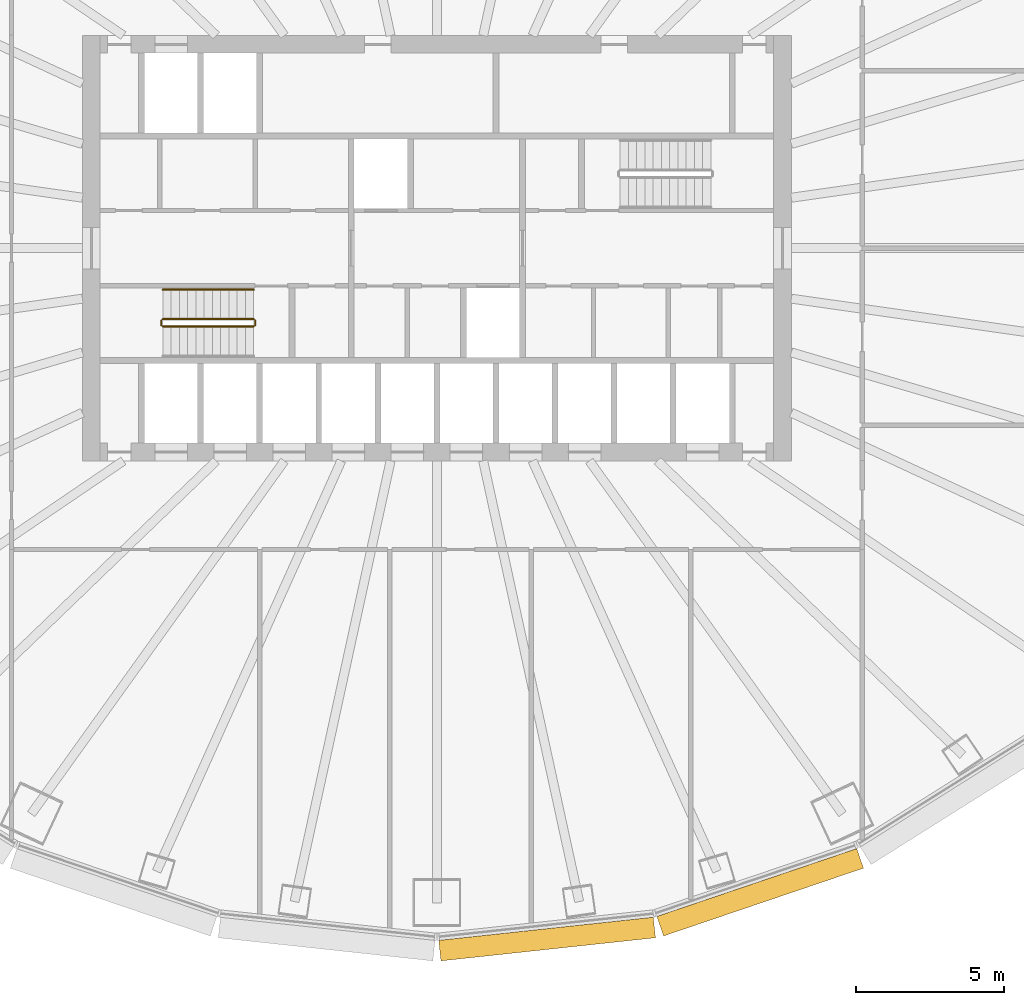
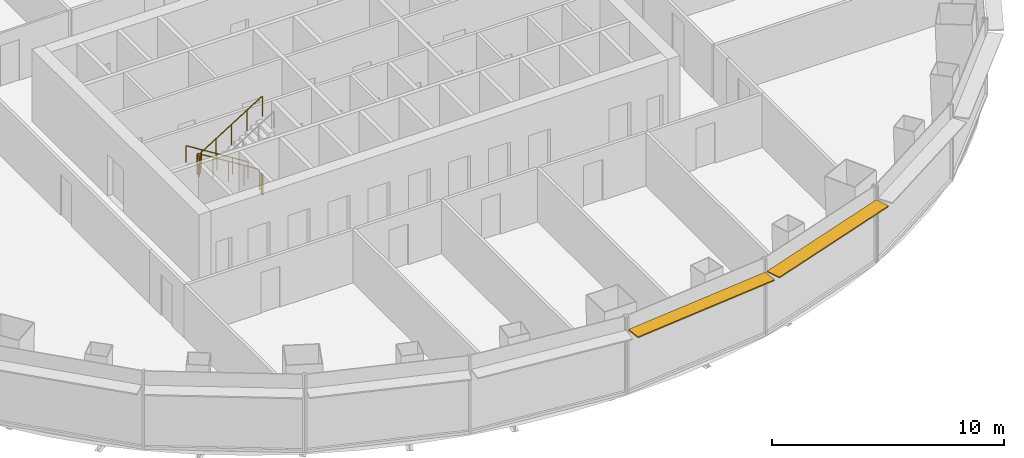
# One storey, part 11 of 13: 5 railings, 2 shading devices.
"""IFC4 building model written with IfcOpenShell, lengths in metres."""

from ifc_helpers import new_model, si_unit, direction, frame, origin, origin_2d, place, context, subcontext, project, spatial, rectangle, circle, extrude, material, layer, layer_set, type_object, element, save


model = new_model("IFC4")

# Units and contexts
model_context = context("Model", 3, precision=1e-05, world=origin(), true_north=direction((0.0, 1.0)))
body_context = subcontext(model_context, "Body", "Model", "MODEL_VIEW")
ifc_project = project(units=[si_unit("LENGTHUNIT", "METRE"), si_unit("AREAUNIT", "SQUARE_METRE"), si_unit("VOLUMEUNIT", "CUBIC_METRE"), si_unit("PLANEANGLEUNIT", "RADIAN"), si_unit("MASSUNIT", "GRAM", prefix="KILO")], contexts=[model_context])

# Site, building, storey
site_placement = place(None, origin())
site = spatial("IfcSite", under=ifc_project, at=site_placement, CompositionType="ELEMENT")
building_placement = place(site_placement, origin())
building = spatial("IfcBuilding", under=site, at=building_placement, Name="Siaravel Broadcast Tower", CompositionType="ELEMENT")
storey_placement = place(building_placement, frame((0.0, 0.0, 32.89990234375)))
storey = spatial("IfcBuildingStorey", under=building, at=storey_placement, Name="L06", CompositionType="ELEMENT", Elevation=32.89990234375)

# Shading devices
ifc_material_1 = material(Name="Bronze anodised aluminium", Category="aluminium")
ifc_layer = layer(ifc_material_1, 0.06005859375)
ifc_layer_set = layer_set([ifc_layer], Name="Bronze anodised aluminium")
shading_device_type = type_object("IfcShadingDeviceType", Name="Brise-soleil band", PredefinedType="USERDEFINED", material=ifc_layer_set)
shading_device_1_placement = place(storey_placement, frame((3.731689453125, -23.388916015625, 3.320068359375), z_axis=(0.0, 0.0, 1.0), x_axis=(0.994235667, 0.107216783, 0.0)))
element("IfcShadingDevice", 1, at=shading_device_1_placement, inside=storey, type_object=shading_device_type, Name="L06 brise-soleil band 19", ObjectType="SUNSHADE", PredefinedType="USERDEFINED", context=body_context, shape_type="SweptSolid", body=[
    extrude(rectangle(XDim=7.3046875, YDim=0.699951171875, at=origin_2d()), origin(), (0.0, 0.0, 1.0), 0.06005859375),
])
shading_device_2_placement = place(storey_placement, frame((10.944580078125, -21.805908203125, 3.320068359375), z_axis=(0.0, 0.0, 1.0), x_axis=(0.946977245, 0.321300635, 0.0)))
element("IfcShadingDevice", 2, at=shading_device_2_placement, inside=storey, type_object=shading_device_type, Name="L06 brise-soleil band 20", ObjectType="SUNSHADE", PredefinedType="USERDEFINED", context=body_context, shape_type="SweptSolid", body=[
    extrude(rectangle(XDim=7.145263671875, YDim=0.699951171875, at=origin_2d()), origin(), (0.0, 0.0, 1.0), 0.06005859375),
])

# Railings
ifc_material_2 = material(Name="Stainless steel 316L", Category="steel")
railing_type_1 = type_object("IfcRailingType", Name="Stair guard 1100", PredefinedType="GUARDRAIL", material=ifc_material_2)
railing_1_placement = place(storey_placement, frame((-6.199951171875, -2.39990234375, 0.175048828125)))
element("IfcRailing", 3, at=railing_1_placement, inside=storey, type_object=railing_type_1, Name="L06 ST-1 stair guard 1", PredefinedType="GUARDRAIL", context=body_context, shape_type="SweptSolid", body=[
    extrude(circle(Radius=0.02392578125, at=origin_2d()), frame((0.0, 0.0, 1.076171875), z_axis=(-0.847998304, 0.0, 0.52999894), x_axis=(0.0, -1.0, 0.0)), (0.0, 0.0, 1.0), 3.632080078125),
    extrude(circle(Radius=0.02099609375, at=origin_2d()), origin(), (0.0, 0.0, 1.0), 1.052001953125),
    extrude(circle(Radius=0.02099609375, at=origin_2d()), frame((-0.77001953125, 0.0, 0.481201171875)), (0.0, 0.0, 1.0), 1.052001953125),
    extrude(circle(Radius=0.02099609375, at=origin_2d()), frame((-1.5400390625, 0.0, 0.96240234375)), (0.0, 0.0, 1.0), 1.052001953125),
    extrude(circle(Radius=0.02099609375, at=origin_2d()), frame((-2.31005859375, 0.0, 1.44384765625)), (0.0, 0.0, 1.0), 1.052001953125),
    extrude(circle(Radius=0.02099609375, at=origin_2d()), frame((-3.080078125, 0.0, 1.925048828125)), (0.0, 0.0, 1.0), 1.052001953125),
])
railing_2_placement = place(storey_placement, frame((-9.330078125, -2.449951171875, 2.10009765625)))
element("IfcRailing", 4, at=railing_2_placement, inside=storey, type_object=railing_type_1, Name="L06 ST-1 stair guard 2", PredefinedType="GUARDRAIL", context=body_context, shape_type="SweptSolid", body=[
    extrude(circle(Radius=0.02392578125, at=origin_2d()), frame((0.0, 0.0, 1.076171875), z_axis=(0.0, -1.0, 0.0), x_axis=(1.0, 0.0, 0.0)), (0.0, 0.0, 1.0), 0.150146484375),
    extrude(circle(Radius=0.02099609375, at=origin_2d()), origin(), (0.0, 0.0, 1.0), 1.052001953125),
    extrude(circle(Radius=0.02099609375, at=origin_2d()), frame((0.0, -0.150146484375, 0.0)), (0.0, 0.0, 1.0), 1.052001953125),
])
railing_3_placement = place(storey_placement, frame((-9.280029296875, -2.64990234375, 2.275146484375)))
element("IfcRailing", 5, at=railing_3_placement, inside=storey, type_object=railing_type_1, Name="L06 ST-1 stair guard 3", PredefinedType="GUARDRAIL", context=body_context, shape_type="SweptSolid", body=[
    extrude(circle(Radius=0.02392578125, at=origin_2d()), frame((0.0, 0.0, 1.076171875), z_axis=(0.847998304, 0.0, 0.52999894), x_axis=(0.0, 1.0, 0.0)), (0.0, 0.0, 1.0), 3.632080078125),
    extrude(circle(Radius=0.02099609375, at=origin_2d()), origin(), (0.0, 0.0, 1.0), 1.052001953125),
    extrude(circle(Radius=0.02099609375, at=origin_2d()), frame((0.77001953125, 0.0, 0.481201171875)), (0.0, 0.0, 1.0), 1.052001953125),
    extrude(circle(Radius=0.02099609375, at=origin_2d()), frame((1.5400390625, 0.0, 0.96240234375)), (0.0, 0.0, 1.0), 1.052001953125),
    extrude(circle(Radius=0.02099609375, at=origin_2d()), frame((2.31005859375, 0.0, 1.44384765625)), (0.0, 0.0, 1.0), 1.052001953125),
    extrude(circle(Radius=0.02099609375, at=origin_2d()), frame((3.080078125, 0.0, 1.925048828125)), (0.0, 0.0, 1.0), 1.052001953125),
])
railing_4_placement = place(storey_placement, frame((-6.14990234375, -2.449951171875, 0.0)))
element("IfcRailing", 6, at=railing_4_placement, inside=storey, type_object=railing_type_1, Name="L06 ST-1 stair guard 4", PredefinedType="GUARDRAIL", context=body_context, shape_type="SweptSolid", body=[
    extrude(circle(Radius=0.02392578125, at=origin_2d()), frame((0.0, 0.0, 1.076171875), z_axis=(0.0, -1.0, 0.0), x_axis=(1.0, 0.0, 0.0)), (0.0, 0.0, 1.0), 0.150146484375),
    extrude(circle(Radius=0.02099609375, at=origin_2d()), origin(), (0.0, 0.0, 1.0), 1.052001953125),
    extrude(circle(Radius=0.02099609375, at=origin_2d()), frame((0.0, -0.150146484375, 0.0)), (0.0, 0.0, 1.0), 1.052001953125),
])
railing_type_2 = type_object("IfcRailingType", Name="Stair handrail 900", PredefinedType="HANDRAIL", material=ifc_material_2)
railing_5_placement = place(storey_placement, frame((-6.199951171875, -1.39990234375, 0.175048828125)))
element("IfcRailing", 7, at=railing_5_placement, inside=storey, type_object=railing_type_2, Name="L06 ST-1 stair handrail 1", PredefinedType="HANDRAIL", context=body_context, shape_type="SweptSolid", body=[
    extrude(circle(Radius=0.02392578125, at=origin_2d()), frame((0.0, 0.0, 0.8759765625), z_axis=(-0.847998304, 0.0, 0.52999894), x_axis=(0.0, -1.0, 0.0)), (0.0, 0.0, 1.0), 3.632080078125),
    extrude(circle(Radius=0.02099609375, at=origin_2d()), origin(), (0.0, 0.0, 1.0), 0.851806640625),
    extrude(circle(Radius=0.02099609375, at=origin_2d()), frame((-0.77001953125, 0.0, 0.481201171875)), (0.0, 0.0, 1.0), 0.851806640625),
    extrude(circle(Radius=0.02099609375, at=origin_2d()), frame((-1.5400390625, 0.0, 0.96240234375)), (0.0, 0.0, 1.0), 0.851806640625),
    extrude(circle(Radius=0.02099609375, at=origin_2d()), frame((-2.31005859375, 0.0, 1.44384765625)), (0.0, 0.0, 1.0), 0.851806640625),
    extrude(circle(Radius=0.02099609375, at=origin_2d()), frame((-3.080078125, 0.0, 1.925048828125)), (0.0, 0.0, 1.0), 0.851806640625),
])

save(model, "model.ifc")
